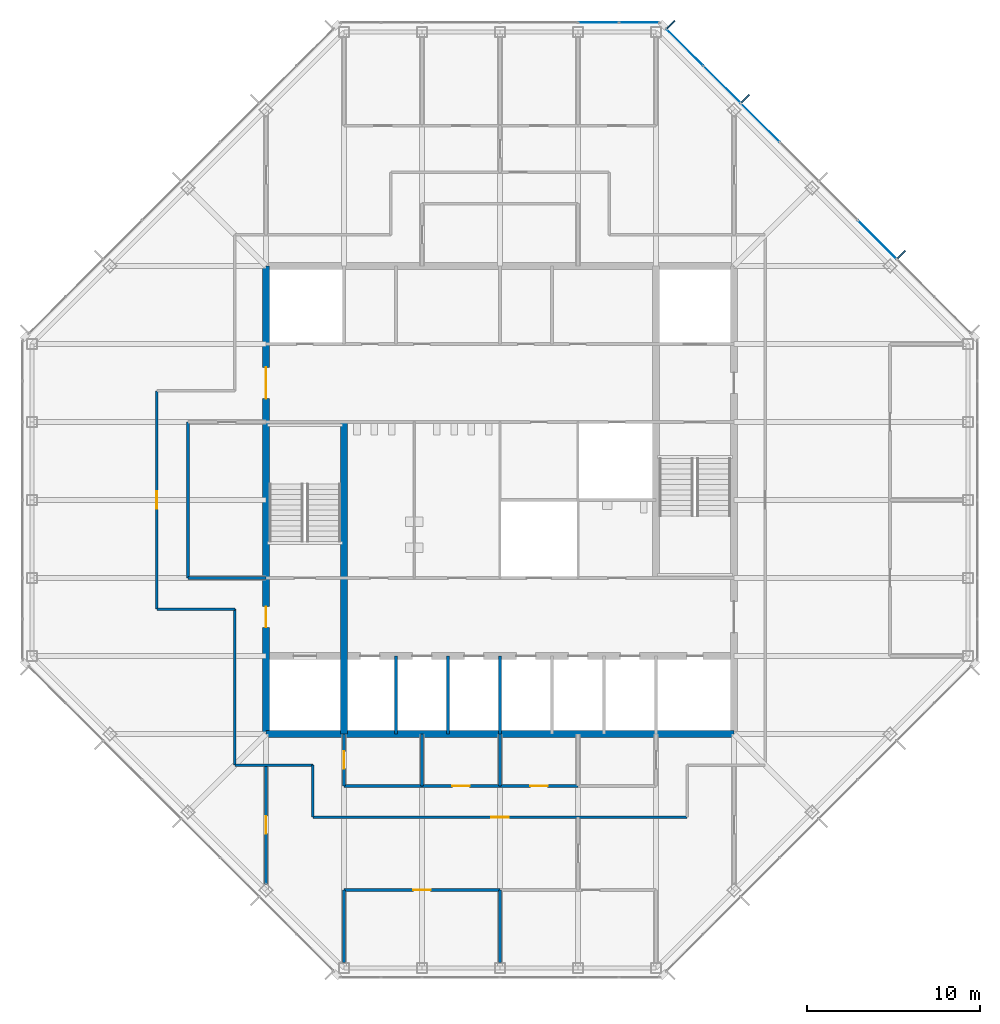
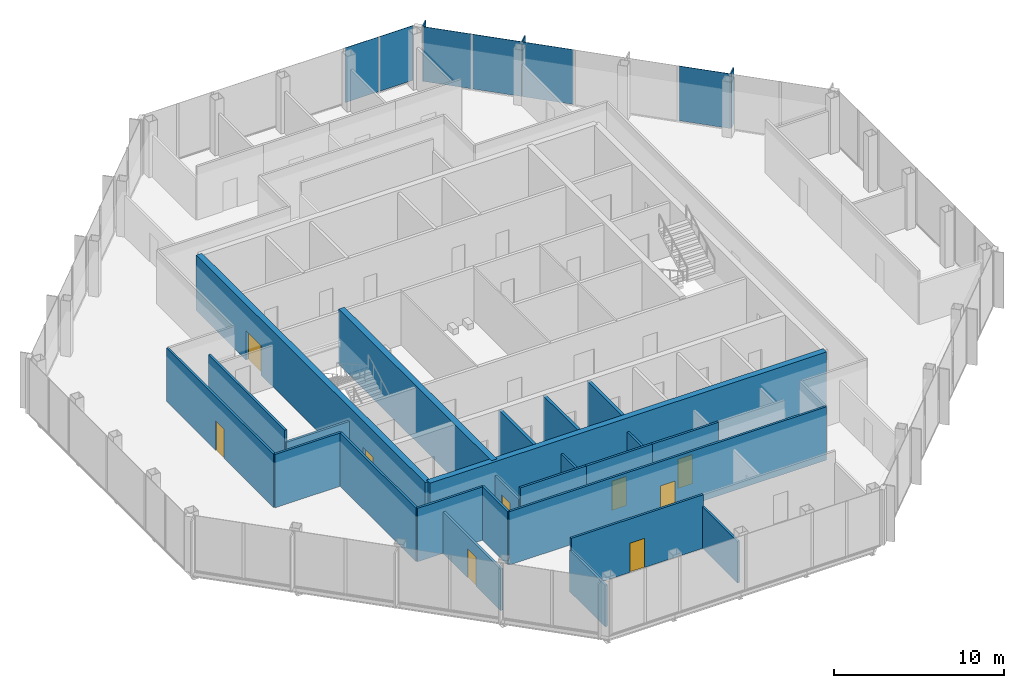
# One storey, part 9 of 14: 24 walls, 9 doors, 9 plates, 9 openings, 2 elements without a shape of their own.
"""IFC4 building model written with IfcOpenShell, lengths in metres."""

import ifcopenshell
import ifcopenshell.guid

model = None  # the IFC model being written
_history = None  # IfcOwnerHistory: only IFC2X3 demands one
_inside = {}  # id of a spatial element -> (the spatial element, [elements in it])
_under = {}  # id of a project, library or spatial element -> (it, [spatial elements below it])
_declared = {}  # id of a project -> (the project, [libraries it declares])
_typed = {}  # id of a type object -> (the type object, [elements of that type])
_made_of = {}  # id of a material, layer set ... -> (it, [elements and type objects made of it])


def new_model(schema):
    """Start an empty IFC model of exactly this schema.

    Asked for "IFC4X3", IfcOpenShell would pick the latest addendum, in which some entities
    have other attributes; the version numbers below select the first issue.
    IFC2X3 requires an IfcOwnerHistory on every rooted entity: one is made here for all.
    """
    global model, _history
    if schema == "IFC4X3":
        model = ifcopenshell.file(schema_version=(4, 3, 0, 0))
    else:
        model = ifcopenshell.file(schema=schema)
    _inside.clear()
    _under.clear()
    _declared.clear()
    _typed.clear()
    _made_of.clear()
    _history = None
    if model.schema == "IFC2X3":
        org = make("IfcOrganization", Name="unknown")
        user = make(
            "IfcPersonAndOrganization",
            ThePerson=make("IfcPerson", FamilyName="unknown"),
            TheOrganization=org,
        )
        app = make(
            "IfcApplication",
            ApplicationDeveloper=org,
            Version="unknown",
            ApplicationFullName="unknown",
            ApplicationIdentifier="unknown",
        )
        _history = make(
            "IfcOwnerHistory",
            OwningUser=user,
            OwningApplication=app,
            ChangeAction="ADDED",
            CreationDate=0,
        )
    return model


def make(cls, **values):
    """One entity of the class cls with the attributes given. An attribute that is None is left unset."""
    return model.create_entity(
        cls, **{name: value for name, value in values.items() if value is not None}
    )


def rooted(cls, **values):
    """An entity with a GlobalId (a new one), such as an element, a storey or a relation."""
    return make(cls, GlobalId=ifcopenshell.guid.new(), OwnerHistory=_history, **values)


def si_unit(unit_type, name, prefix=None):
    """IfcSIUnit, for example si_unit("LENGTHUNIT", "METRE", prefix="MILLI")."""
    return make("IfcSIUnit", UnitType=unit_type, Prefix=prefix, Name=name)


def assignment(units):
    """IfcUnitAssignment: the units of a project."""
    return None if units is None else make("IfcUnitAssignment", Units=units)


def point(xyz):
    """IfcCartesianPoint."""
    return None if xyz is None else make("IfcCartesianPoint", Coordinates=xyz)


def direction(xyz):
    """IfcDirection."""
    return None if xyz is None else make("IfcDirection", DirectionRatios=xyz)


def frame(location, z_axis=None, x_axis=None):
    """IfcAxis2Placement3D, a coordinate frame: its origin and axes. An axis left out is left unset."""
    return make(
        "IfcAxis2Placement3D",
        Location=point(location),
        Axis=direction(z_axis),
        RefDirection=direction(x_axis),
    )


def frame_2d(location, x_axis=None):
    """IfcAxis2Placement2D, a coordinate frame in the plane: its origin and x axis."""
    return make(
        "IfcAxis2Placement2D", Location=point(location), RefDirection=direction(x_axis)
    )


def origin():
    """The frame at (0, 0, 0) with its axes left unset."""
    return frame((0.0, 0.0, 0.0))


def origin_2d():
    """The frame at (0, 0) in the plane with its x axis left unset."""
    return frame_2d((0.0, 0.0))


def place(relative_to, where):
    """IfcLocalPlacement: puts the frame where relative to a parent placement (None: the world)."""
    return make(
        "IfcLocalPlacement", PlacementRelTo=relative_to, RelativePlacement=where
    )


def context(
    kind, dimensions, precision=None, world=None, true_north=None, identifier=None
):
    """IfcGeometricRepresentationContext, for example the 3D "Model" context."""
    return make(
        "IfcGeometricRepresentationContext",
        ContextIdentifier=identifier,
        ContextType=kind,
        CoordinateSpaceDimension=dimensions,
        Precision=precision,
        WorldCoordinateSystem=world,
        TrueNorth=true_north,
    )


def subcontext(parent, identifier, kind, view, scale=None):
    """IfcGeometricRepresentationSubContext, for example "Body" below "Model"."""
    return make(
        "IfcGeometricRepresentationSubContext",
        ContextIdentifier=identifier,
        ContextType=kind,
        ParentContext=parent,
        TargetScale=scale,
        TargetView=view,
    )


def project(units=None, contexts=None):
    """IfcProject with its units and contexts."""
    return rooted(
        "IfcProject",
        Name="project",
        RepresentationContexts=contexts,
        UnitsInContext=assignment(units),
    )


def spatial(cls, under=None, at=None, **own):
    """A site, building, storey or space (cls), placed at a placement, below another one or the project."""
    s = rooted(cls, ObjectPlacement=at, **own)
    if under is not None:
        _under.setdefault(under.id(), (under, []))[1].append(s)
    return s


def profile(cls, at=None, kind="AREA", **sizes):
    """A parametric profile (cls). Its sizes go by their IFC names, for example OverallWidth=200.0."""
    return make(cls, ProfileType=kind, Position=at, **sizes)


def rectangle(**sizes):
    """IfcRectangleProfileDef."""
    return profile("IfcRectangleProfileDef", **sizes)


def extrude(swept, where, along, depth):
    """IfcExtrudedAreaSolid: the profile swept, set in the frame where, extruded along a direction by depth."""
    return make(
        "IfcExtrudedAreaSolid",
        SweptArea=swept,
        Position=where,
        ExtrudedDirection=direction(along),
        Depth=depth,
    )


def shape(context_of_items, identifier, shape_type, items):
    """IfcShapeRepresentation: the items that make up one representation, for example the "Body"."""
    return make(
        "IfcShapeRepresentation",
        ContextOfItems=context_of_items,
        RepresentationIdentifier=identifier,
        RepresentationType=shape_type,
        Items=items,
    )


def material(Name=None, Category=None):
    """IfcMaterial."""
    return make("IfcMaterial", Name=Name, Category=Category)


def layer(
    of_material, thickness, ventilated=None, Name=None, Category=None, Priority=None
):
    """IfcMaterialLayer: one layer of a wall or slab, of a material (None: an air gap)."""
    return make(
        "IfcMaterialLayer",
        Material=of_material,
        LayerThickness=thickness,
        IsVentilated=ventilated,
        Name=Name,
        Category=Category,
        Priority=Priority,
    )


def layer_set(layers, Name=None):
    """IfcMaterialLayerSet."""
    return make("IfcMaterialLayerSet", MaterialLayers=layers, LayerSetName=Name)


def made_of(thing, what):
    """Note that an element or type object is made of a material, layer set ...; save() writes the relation."""
    if what is not None:
        _made_of.setdefault(what.id(), (what, []))[1].append(thing)
    return thing


def type_object(cls, material=None, **own):
    """A type object (cls), such as IfcWallType, which elements share."""
    return made_of(rooted(cls, **own), material)


def element(
    cls,
    number,
    at=None,
    inside=None,
    cuts=None,
    type_object=None,
    material=None,
    context=None,
    identifier="Body",
    shape_type=None,
    held_by="IfcProductDefinitionShape",
    body=None,
    shapes=None,
    **own,
):
    """One element of the class cls, such as IfcWall. Its Tag is "e" and its number.

    at: its placement. inside: the storey or other place that contains it. cuts: it is an
    opening in that element (IfcRelVoidsElement). A single representation is given by context,
    identifier, shape_type and body (its items); several are given by shapes. held_by: the class
    of the entity that holds the representations. save() writes the other relations.
    """
    e = rooted(cls, Tag="e%d" % number, ObjectPlacement=at, **own)
    if body is not None:
        shapes = [shape(context, identifier, shape_type, body)]
    if shapes is not None:
        e.Representation = make(held_by, Representations=shapes)
    if inside is not None:
        _inside.setdefault(inside.id(), (inside, []))[1].append(e)
    if cuts is not None:
        rooted(
            "IfcRelVoidsElement", RelatingBuildingElement=cuts, RelatedOpeningElement=e
        )
    if type_object is not None:
        _typed.setdefault(type_object.id(), (type_object, []))[1].append(e)
    return made_of(e, material)


def fill(opening, filler):
    """IfcRelFillsElement: the door or window that sits in an opening."""
    return rooted(
        "IfcRelFillsElement",
        RelatingOpeningElement=opening,
        RelatedBuildingElement=filler,
    )


def aggregate(whole, parts):
    """IfcRelAggregates: a whole, such as a stair, and the parts it consists of."""
    return rooted("IfcRelAggregates", RelatingObject=whole, RelatedObjects=parts)


def save(model, path):
    """Write the relations noted so far, then the file.

    IfcRelAggregates (storeys below a building ...), IfcRelContainedInSpatialStructure (elements
    in a storey), IfcRelDefinesByType, IfcRelAssociatesMaterial and IfcRelDeclares: one each for
    every whole, place, type object, material and project.
    """
    for whole, parts in _under.values():
        aggregate(whole, parts)
    for where, things in _inside.values():
        rooted(
            "IfcRelContainedInSpatialStructure",
            RelatedElements=things,
            RelatingStructure=where,
        )
    for kind, things in _typed.values():
        rooted("IfcRelDefinesByType", RelatedObjects=things, RelatingType=kind)
    for what, things in _made_of.values():
        rooted("IfcRelAssociatesMaterial", RelatedObjects=things, RelatingMaterial=what)
    for by, libraries in _declared.values():
        rooted("IfcRelDeclares", RelatingContext=by, RelatedDefinitions=libraries)
    model.write(path)


model = new_model("IFC4")

# Units and contexts
model_context = context("Model", 3, precision=1e-05, world=origin(), true_north=direction((0.0, 1.0)))
body_context = subcontext(model_context, "Body", "Model", "MODEL_VIEW")
ifc_project = project(units=[si_unit("LENGTHUNIT", "METRE"), si_unit("AREAUNIT", "SQUARE_METRE"), si_unit("VOLUMEUNIT", "CUBIC_METRE"), si_unit("PLANEANGLEUNIT", "RADIAN"), si_unit("MASSUNIT", "GRAM", prefix="KILO")], contexts=[model_context])

# Site, building, storey
site_placement = place(None, origin())
site = spatial("IfcSite", under=ifc_project, at=site_placement, CompositionType="ELEMENT")
building_placement = place(site_placement, origin())
building = spatial("IfcBuilding", under=site, at=building_placement, Name="Corais Broadcast Tower", CompositionType="ELEMENT")
storey_placement = place(building_placement, frame((0.0, 0.0, 282.60009765625)))
storey = spatial("IfcBuildingStorey", under=building, at=storey_placement, Name="L66", CompositionType="ELEMENT", Elevation=282.60009765625)

# Curtain wall, plate
ifc_material_1 = material(Name="Aluminium and glass", Category="aluminium")
curtain_wall_type = type_object("IfcCurtainWallType", Name="Unitised fritted curtain wall CW3", PredefinedType="NOTDEFINED", material=ifc_material_1)
curtain_wall_1_placement = place(storey_placement, origin())
curtain_wall_1 = element("IfcCurtainWall", 1, at=curtain_wall_1_placement, inside=storey, type_object=curtain_wall_type, Name="CW3 curtain wall L66 4", PredefinedType="NOTDEFINED")
ifc_material_2 = material(Name="Ceramic-fritted laminated glass", Category="glass")
ifc_layer_1 = layer(ifc_material_2, 0.02587890625)
ifc_layer_set_1 = layer_set([ifc_layer_1], Name="Ceramic-fritted laminated glass")
plate_type_1 = type_object("IfcPlateType", Name="Fritted glass panel CW3", PredefinedType="CURTAIN_PANEL", material=ifc_layer_set_1)
plate_1_placement = place(storey_placement, frame((32.681884765625, 54.550048828125, 0.06494140625), z_axis=(0.0, 0.0, 1.0), x_axis=(1.0, 0.0, 0.0)))
plate_1 = element("IfcPlate", 2, at=plate_1_placement, type_object=plate_type_1, Name="CW3 panel 5", PredefinedType="CURTAIN_PANEL", context=body_context, shape_type="SweptSolid", body=[
    extrude(rectangle(XDim=2.298828125, YDim=0.02587890625, at=origin_2d()), origin(), (0.0, 0.0, 1.0), 3.93505859375),
])

# Curtain wall, plates
curtain_wall_2_placement = place(storey_placement, origin())
curtain_wall_2 = element("IfcCurtainWall", 3, at=curtain_wall_2_placement, inside=storey, type_object=curtain_wall_type, Name="CW3 curtain wall L66 5", PredefinedType="NOTDEFINED")
plate_2_placement = place(storey_placement, frame((37.669677734375, 53.108154296875, 0.06494140625), z_axis=(0.0, 0.0, 1.0), x_axis=(0.707106781187, -0.707106781187, 0.0)))
plate_2 = element("IfcPlate", 4, at=plate_2_placement, type_object=plate_type_1, Name="CW3 panel 1", PredefinedType="CURTAIN_PANEL", context=body_context, shape_type="SweptSolid", body=[
    extrude(rectangle(XDim=2.9482421875, YDim=0.02587890625, at=origin_2d()), origin(), (0.0, 0.0, 1.0), 3.93505859375),
])
plate_3_placement = place(storey_placement, frame((42.013916015625, 48.763916015625, 0.06494140625), z_axis=(0.0, 0.0, 1.0), x_axis=(0.707106781187, -0.707106781187, 0.0)))
plate_3 = element("IfcPlate", 5, at=plate_3_placement, type_object=plate_type_1, Name="CW3 panel 3", PredefinedType="CURTAIN_PANEL", context=body_context, shape_type="SweptSolid", body=[
    extrude(rectangle(XDim=3.116943359375, YDim=0.02587890625, at=origin_2d()), origin(), (0.0, 0.0, 1.0), 3.93505859375),
])

# Plate
ifc_material_3 = material(Name="Clear laminated glass", Category="glass")
ifc_layer_2 = layer(ifc_material_3, 0.030029296875)
ifc_layer_set_2 = layer_set([ifc_layer_2], Name="Clear laminated glass")
plate_type_2 = type_object("IfcPlateType", Name="Operable glass panel CW3", PredefinedType="CURTAIN_PANEL", material=ifc_layer_set_2)
plate_4_placement = place(storey_placement, frame((35.029541015625, 54.550048828125, 0.06494140625), z_axis=(0.0, 0.0, 1.0), x_axis=(1.0, 0.0, 0.0)))
plate_4 = element("IfcPlate", 6, at=plate_4_placement, type_object=plate_type_2, Name="CW3 operable panel 6", PredefinedType="CURTAIN_PANEL", context=body_context, shape_type="SweptSolid", body=[
    extrude(rectangle(XDim=2.266357421875, YDim=0.030029296875, at=origin_2d()), origin(), (0.0, 0.0, 1.0), 3.93505859375),
])

aggregate(curtain_wall_1, [plate_1, plate_4])

plate_5_placement = place(storey_placement, frame((39.81201171875, 50.9658203125, 0.06494140625), z_axis=(0.0, 0.0, 1.0), x_axis=(0.707106781187, -0.707106781187, 0.0)))
plate_5 = element("IfcPlate", 7, at=plate_5_placement, type_object=plate_type_2, Name="CW3 operable panel 2", PredefinedType="CURTAIN_PANEL", context=body_context, shape_type="SweptSolid", body=[
    extrude(rectangle(XDim=2.98095703125, YDim=0.030029296875, at=origin_2d()), origin(), (0.0, 0.0, 1.0), 3.93505859375),
])

plate_6_placement = place(storey_placement, frame((48.763916015625, 42.013916015625, 0.06494140625), z_axis=(0.0, 0.0, 1.0), x_axis=(0.707106781187, -0.707106781187, 0.0)))
plate_6 = element("IfcPlate", 8, at=plate_6_placement, type_object=plate_type_2, Name="CW3 operable panel 6", PredefinedType="CURTAIN_PANEL", context=body_context, shape_type="SweptSolid", body=[
    extrude(rectangle(XDim=3.116943359375, YDim=0.030029296875, at=origin_2d()), origin(), (0.0, 0.0, 1.0), 3.93505859375),
])

aggregate(curtain_wall_2, [plate_2, plate_5, plate_3, plate_6])

# Plates
ifc_material_4 = material(Name="Granite stone cladding", Category="masonry")
ifc_layer_3 = layer(ifc_material_4, 0.080078125)
ifc_layer_set_3 = layer_set([ifc_layer_3], Name="Granite stone cladding")
plate_type_3 = type_object("IfcPlateType", Name="Stone screen fin 80x600", PredefinedType="USERDEFINED", material=ifc_layer_set_3)
for number, where, z_axis, x_axis, name in (
    (9, (36.870849609375, 54.43994140625, 0.0), (0.0, 0.0, 1.0), (0.707106781187, -0.707106781187, 0.0), "SF1 stone screen fin L66"),
    (10, (41.155517578125, 50.155517578125, 0.0), (0.0, 0.0, 1.0), (0.707106781187, -0.707106781187, 0.0), "SF1 stone screen fin L66"),
    (11, (50.155517578125, 41.155517578125, 0.0), (0.0, 0.0, 1.0), (0.707106781187, -0.707106781187, 0.0), "SF1 stone screen fin L66"),
):
    element("IfcPlate", number, at=place(storey_placement, frame(where, z_axis=z_axis, x_axis=x_axis)), inside=storey, type_object=plate_type_3, Name=name, ObjectType="STONE SCREEN FIN", PredefinedType="USERDEFINED", context=body_context, shape_type="SweptSolid", body=[
        extrude(rectangle(XDim=0.080078125, YDim=0.60009765625, at=origin_2d()), origin(), (0.0, 0.0, 1.0), 4.0),
    ])

# Wall
ifc_material_5 = material(Name="Concrete C50/60", Category="concrete")
ifc_layer_4 = layer(ifc_material_5, 0.39990234375)
ifc_layer_set_4 = layer_set([ifc_layer_4], Name="Concrete C50/60")
wall_type_1 = type_object("IfcWallType", Name="Core wall 400", PredefinedType="SHEAR", material=ifc_layer_set_4)
wall_1_placement = place(storey_placement, frame((13.5, 13.5, 0.0), z_axis=(0.0, 0.0, 1.0), x_axis=(1.0, 0.0, 0.0)))
element("IfcWall", 12, at=wall_1_placement, inside=storey, type_object=wall_type_1, Name="CR400 core wall S L66", PredefinedType="SHEAR", context=body_context, shape_type="SweptSolid", body=[
    extrude(rectangle(XDim=27.0, YDim=0.39990234375, at=frame_2d((13.5, 0.0))), origin(), (0.0, 0.0, 1.0), 4.0),
])

# Wall, openings, doors
wall_2_placement = place(storey_placement, frame((13.5, 40.5, 0.0), z_axis=(0.0, 0.0, 1.0), x_axis=(0.0, -1.0, 0.0)))
wall_2 = element("IfcWall", 13, at=wall_2_placement, inside=storey, type_object=wall_type_1, Name="CR400 core wall W L66", PredefinedType="SHEAR", context=body_context, shape_type="SweptSolid", body=[
    extrude(rectangle(XDim=27.0, YDim=0.39990234375, at=frame_2d((13.5, 0.0))), origin(), (0.0, 0.0, 1.0), 4.0),
])
opening_1_placement = place(wall_2_placement, frame((19.64990234375, 0.0, 0.0)))
opening_1 = element("IfcOpeningElement", 14, at=opening_1_placement, cuts=wall_2, Name="Opening FD1", PredefinedType="OPENING", context=body_context, shape_type="SweptSolid", body=[
    extrude(rectangle(XDim=1.199951171875, YDim=2.10009765625, at=frame_2d((0.60009765625, 1.050048828125))), frame((0.0, 0.2099609375, 0.0), z_axis=(0.0, -1.0, 0.0), x_axis=(1.0, 0.0, 0.0)), (0.0, 0.0, 1.0), 0.419921875),
])
opening_2_placement = place(wall_2_placement, frame((5.85009765625, 0.0, 0.0)))
opening_2 = element("IfcOpeningElement", 15, at=opening_2_placement, cuts=wall_2, Name="Opening FD2", PredefinedType="OPENING", context=body_context, shape_type="SweptSolid", body=[
    extrude(rectangle(XDim=1.800048828125, YDim=2.10009765625, at=frame_2d((0.89990234375, 1.050048828125))), frame((0.0, 0.2099609375, 0.0), z_axis=(0.0, -1.0, 0.0), x_axis=(1.0, 0.0, 0.0)), (0.0, 0.0, 1.0), 0.419921875),
])
ifc_material_6 = material(Name="Steel fire door", Category="steel")
door_type_1 = type_object("IfcDoorType", Name="Fire door 1200x2100", OperationType="SINGLE_SWING_LEFT", PredefinedType="DOOR", material=ifc_material_6)
door_1_placement = place(opening_1_placement, origin())
door_1 = element("IfcDoor", 16, at=door_1_placement, inside=storey, type_object=door_type_1, Name="FD1 fire lobby A door L66", OperationType="SINGLE_SWING_RIGHT", OverallHeight=2.10009765625, OverallWidth=1.199951171875, PredefinedType="DOOR", context=body_context, shape_type="SweptSolid", body=[
    extrude(rectangle(XDim=1.199951171875, YDim=2.10009765625, at=frame_2d((0.60009765625, 1.050048828125))), frame((0.0, 0.02490234375, 0.0), z_axis=(0.0, -1.0, 0.0), x_axis=(1.0, 0.0, 0.0)), (0.0, 0.0, 1.0), 0.050048828125),
])
fill(opening_1, door_1)
ifc_material_7 = material(Name="Steel fire door", Category="steel")
door_type_2 = type_object("IfcDoorType", Name="Fire door pair 1800x2100", OperationType="DOUBLE_DOOR_SINGLE_SWING", PredefinedType="DOOR", material=ifc_material_7)
door_2_placement = place(opening_2_placement, origin())
door_2 = element("IfcDoor", 17, at=door_2_placement, inside=storey, type_object=door_type_2, Name="FD2 lift lobby door L66", OperationType="SINGLE_SWING_LEFT", OverallHeight=2.10009765625, OverallWidth=1.800048828125, PredefinedType="DOOR", context=body_context, shape_type="SweptSolid", body=[
    extrude(rectangle(XDim=1.800048828125, YDim=2.10009765625, at=frame_2d((0.89990234375, 1.050048828125))), frame((0.0, 0.02490234375, 0.0), z_axis=(0.0, -1.0, 0.0), x_axis=(1.0, 0.0, 0.0)), (0.0, 0.0, 1.0), 0.050048828125),
])
fill(opening_2, door_2)

# Wall
wall_3_placement = place(storey_placement, frame((18.0, 13.5, 0.0), z_axis=(0.0, 0.0, 1.0), x_axis=(0.0, 1.0, 0.0)))
element("IfcWall", 18, at=wall_3_placement, inside=storey, type_object=wall_type_1, Name="CR400 core wall X18A L66", PredefinedType="SHEAR", context=body_context, shape_type="SweptSolid", body=[
    extrude(rectangle(XDim=18.0, YDim=0.39990234375, at=frame_2d((9.0, 0.0))), origin(), (0.0, 0.0, 1.0), 4.0),
])

# Wall, opening, door
ifc_material_8 = material(Name="Gypsum board on steel studs", Category="steel")
ifc_layer_5 = layer(ifc_material_8, 0.14990234375)
ifc_layer_set_5 = layer_set([ifc_layer_5], Name="Gypsum board on steel studs")
wall_type_2 = type_object("IfcWallType", Name="Partition 150", PredefinedType="PARTITIONING", material=ifc_layer_set_5)
wall_4_placement = place(storey_placement, frame((16.199951171875, 8.699951171875, 0.0), z_axis=(0.0, 0.0, 1.0), x_axis=(1.0, 0.0, 0.0)))
wall_4 = element("IfcWall", 19, at=wall_4_placement, inside=storey, type_object=wall_type_2, Name="IW3 corridor wall L66", PredefinedType="PARTITIONING", context=body_context, shape_type="SweptSolid", body=[
    extrude(rectangle(XDim=21.60009765625, YDim=0.14990234375, at=frame_2d((10.800048828125, 0.0))), origin(), (0.0, 0.0, 1.0), 3.83984375),
])
opening_3_placement = place(wall_4_placement, frame((10.300048828125, 0.0, 0.0)))
opening_3 = element("IfcOpeningElement", 20, at=opening_3_placement, cuts=wall_4, Name="Opening D1", PredefinedType="OPENING", context=body_context, shape_type="SweptSolid", body=[
    extrude(rectangle(XDim=1.0, YDim=2.10009765625, at=frame_2d((0.5, 1.050048828125))), frame((0.0, 0.0849609375, 0.0), z_axis=(0.0, -1.0, 0.0), x_axis=(1.0, 0.0, 0.0)), (0.0, 0.0, 1.0), 0.169921875),
])
ifc_material_9 = material(Name="Timber door", Category="wood")
door_type_3 = type_object("IfcDoorType", Name="Single door 1000x2100", OperationType="SINGLE_SWING_LEFT", PredefinedType="DOOR", material=ifc_material_9)
door_3_placement = place(opening_3_placement, origin())
door_3 = element("IfcDoor", 21, at=door_3_placement, inside=storey, type_object=door_type_3, Name="D1 workplace door L66", OperationType="SINGLE_SWING_LEFT", OverallHeight=2.10009765625, OverallWidth=1.0, PredefinedType="DOOR", context=body_context, shape_type="SweptSolid", body=[
    extrude(rectangle(XDim=1.0, YDim=2.10009765625, at=frame_2d((0.5, 1.050048828125))), frame((0.0, 0.02490234375, 0.0), z_axis=(0.0, -1.0, 0.0), x_axis=(1.0, 0.0, 0.0)), (0.0, 0.0, 1.0), 0.050048828125),
])
fill(opening_3, door_3)

wall_5_placement = place(storey_placement, frame((7.199951171875, 33.300048828125, 0.0), z_axis=(0.0, 0.0, 1.0), x_axis=(0.0, -1.0, 0.0)))
wall_5 = element("IfcWall", 22, at=wall_5_placement, inside=storey, type_object=wall_type_2, Name="IW3 corridor wall L66", PredefinedType="PARTITIONING", context=body_context, shape_type="SweptSolid", body=[
    extrude(rectangle(XDim=12.60009765625, YDim=0.14990234375, at=frame_2d((6.300048828125, 0.0))), origin(), (0.0, 0.0, 1.0), 3.83984375),
])
opening_4_placement = place(wall_5_placement, frame((5.800048828125, 0.0, 0.0)))
opening_4 = element("IfcOpeningElement", 23, at=opening_4_placement, cuts=wall_5, Name="Opening D1", PredefinedType="OPENING", context=body_context, shape_type="SweptSolid", body=[
    extrude(rectangle(XDim=1.0, YDim=2.10009765625, at=frame_2d((0.5, 1.050048828125))), frame((0.0, 0.0849609375, 0.0), z_axis=(0.0, -1.0, 0.0), x_axis=(1.0, 0.0, 0.0)), (0.0, 0.0, 1.0), 0.169921875),
])
door_4_placement = place(opening_4_placement, origin())
door_4 = element("IfcDoor", 24, at=door_4_placement, inside=storey, type_object=door_type_3, Name="D1 workplace door L66", OperationType="SINGLE_SWING_LEFT", OverallHeight=2.10009765625, OverallWidth=1.0, PredefinedType="DOOR", context=body_context, shape_type="SweptSolid", body=[
    extrude(rectangle(XDim=1.0, YDim=2.10009765625, at=frame_2d((0.5, 1.050048828125))), frame((0.0, 0.02490234375, 0.0), z_axis=(0.0, -1.0, 0.0), x_axis=(1.0, 0.0, 0.0)), (0.0, 0.0, 1.0), 0.050048828125),
])
fill(opening_4, door_4)

# Walls
wall_6_placement = place(storey_placement, frame((11.699951171875, 20.699951171875, 0.0), z_axis=(0.0, 0.0, 1.0), x_axis=(0.0, -1.0, 0.0)))
element("IfcWall", 25, at=wall_6_placement, inside=storey, type_object=wall_type_2, Name="IW3 corridor wall L66", PredefinedType="PARTITIONING", context=body_context, shape_type="SweptSolid", body=[
    extrude(rectangle(XDim=9.0, YDim=0.14990234375, at=frame_2d((4.5, 0.0))), origin(), (0.0, 0.0, 1.0), 3.83984375),
])
for number, where, z_axis, x_axis, name in (
    (26, (7.199951171875, 20.699951171875, 0.0), (0.0, 0.0, 1.0), (1.0, 0.0, 0.0), "IW3 corridor wall L66"),
    (27, (11.699951171875, 11.699951171875, 0.0), (0.0, 0.0, 1.0), (1.0, 0.0, 0.0), "IW3 corridor wall L66"),
):
    element("IfcWall", number, at=place(storey_placement, frame(where, z_axis=z_axis, x_axis=x_axis)), inside=storey, type_object=wall_type_2, Name=name, PredefinedType="PARTITIONING", context=body_context, shape_type="SweptSolid", body=[
        extrude(rectangle(XDim=4.5, YDim=0.14990234375, at=frame_2d((2.25, 0.0))), origin(), (0.0, 0.0, 1.0), 3.83984375),
    ])
wall_7_placement = place(storey_placement, frame((16.199951171875, 11.699951171875, 0.0), z_axis=(0.0, 0.0, 1.0), x_axis=(0.0, -1.0, 0.0)))
element("IfcWall", 28, at=wall_7_placement, inside=storey, type_object=wall_type_2, Name="IW3 corridor wall L66", PredefinedType="PARTITIONING", context=body_context, shape_type="SweptSolid", body=[
    extrude(rectangle(XDim=3.0, YDim=0.14990234375, at=frame_2d((1.5, 0.0))), origin(), (0.0, 0.0, 1.0), 3.83984375),
])
wall_8_placement = place(storey_placement, frame((27.0, 0.31005859375, 0.0), z_axis=(0.0, 0.0, 1.0), x_axis=(0.0, 1.0, 0.0)))
element("IfcWall", 29, at=wall_8_placement, inside=storey, type_object=wall_type_2, Name="IW3 partition L66", PredefinedType="PARTITIONING", context=body_context, shape_type="SweptSolid", body=[
    extrude(rectangle(XDim=4.18994140625, YDim=0.14990234375, at=frame_2d((2.094970703125, 0.0))), origin(), (0.0, 0.0, 1.0), 2.989013671875),
])

# Wall, opening, door
wall_9_placement = place(storey_placement, frame((27.0, 4.5, 0.0), z_axis=(0.0, 0.0, 1.0), x_axis=(-1.0, 0.0, 0.0)))
wall_9 = element("IfcWall", 30, at=wall_9_placement, inside=storey, type_object=wall_type_2, Name="IW3 partition L66", PredefinedType="PARTITIONING", context=body_context, shape_type="SweptSolid", body=[
    extrude(rectangle(XDim=9.0, YDim=0.14990234375, at=frame_2d((4.5, 0.0))), origin(), (0.0, 0.0, 1.0), 3.83984375),
])
opening_5_placement = place(wall_9_placement, frame((4.0, 0.0, 0.0)))
opening_5 = element("IfcOpeningElement", 31, at=opening_5_placement, cuts=wall_9, Name="Opening D1", PredefinedType="OPENING", context=body_context, shape_type="SweptSolid", body=[
    extrude(rectangle(XDim=1.0, YDim=2.10009765625, at=frame_2d((0.5, 1.050048828125))), frame((0.0, 0.0849609375, 0.0), z_axis=(0.0, -1.0, 0.0), x_axis=(1.0, 0.0, 0.0)), (0.0, 0.0, 1.0), 0.169921875),
])
door_5_placement = place(opening_5_placement, origin())
door_5 = element("IfcDoor", 32, at=door_5_placement, inside=storey, type_object=door_type_3, Name="D1 Director office door", OperationType="SINGLE_SWING_LEFT", OverallHeight=2.10009765625, OverallWidth=1.0, PredefinedType="DOOR", context=body_context, shape_type="SweptSolid", body=[
    extrude(rectangle(XDim=1.0, YDim=2.10009765625, at=frame_2d((0.5, 1.050048828125))), frame((0.0, 0.02490234375, 0.0), z_axis=(0.0, -1.0, 0.0), x_axis=(1.0, 0.0, 0.0)), (0.0, 0.0, 1.0), 0.050048828125),
])
fill(opening_5, door_5)

# Walls
wall_10_placement = place(storey_placement, frame((18.0, 4.5, 0.0), z_axis=(0.0, 0.0, 1.0), x_axis=(0.0, -1.0, 0.0)))
element("IfcWall", 33, at=wall_10_placement, inside=storey, type_object=wall_type_2, Name="IW3 partition L66", PredefinedType="PARTITIONING", context=body_context, shape_type="SweptSolid", body=[
    extrude(rectangle(XDim=4.18994140625, YDim=0.14990234375, at=frame_2d((2.094970703125, 0.0))), origin(), (0.0, 0.0, 1.0), 2.989013671875),
])
wall_11_placement = place(storey_placement, frame((9.0, 22.5, 0.0), z_axis=(0.0, 0.0, 1.0), x_axis=(1.0, 0.0, 0.0)))
element("IfcWall", 34, at=wall_11_placement, inside=storey, type_object=wall_type_2, Name="IW3 partition L66", PredefinedType="PARTITIONING", context=body_context, shape_type="SweptSolid", body=[
    extrude(rectangle(XDim=4.5, YDim=0.14990234375, at=frame_2d((2.25, 0.0))), origin(), (0.0, 0.0, 1.0), 2.989013671875),
])
wall_12_placement = place(storey_placement, frame((9.0, 31.5, 0.0), z_axis=(0.0, 0.0, 1.0), x_axis=(0.0, -1.0, 0.0)))
element("IfcWall", 35, at=wall_12_placement, inside=storey, type_object=wall_type_2, Name="IW3 partition L66", PredefinedType="PARTITIONING", context=body_context, shape_type="SweptSolid", body=[
    extrude(rectangle(XDim=9.0, YDim=0.14990234375, at=frame_2d((4.5, 0.0))), origin(), (0.0, 0.0, 1.0), 3.83984375),
])
wall_13_placement = place(storey_placement, frame((18.0, 10.5, 0.0), z_axis=(0.0, 0.0, 1.0), x_axis=(1.0, 0.0, 0.0)))
element("IfcWall", 36, at=wall_13_placement, inside=storey, type_object=wall_type_2, Name="IW3 partition L66", PredefinedType="PARTITIONING", context=body_context, shape_type="SweptSolid", body=[
    extrude(rectangle(XDim=4.5, YDim=0.14990234375, at=frame_2d((2.25, 0.0))), origin(), (0.0, 0.0, 1.0), 3.83984375),
])
wall_14_placement = place(storey_placement, frame((22.5, 10.5, 0.0), z_axis=(0.0, 0.0, 1.0), x_axis=(0.0, 1.0, 0.0)))
element("IfcWall", 37, at=wall_14_placement, inside=storey, type_object=wall_type_2, Name="IW3 partition L66", PredefinedType="PARTITIONING", context=body_context, shape_type="SweptSolid", body=[
    extrude(rectangle(XDim=3.0, YDim=0.14990234375, at=frame_2d((1.5, 0.0))), origin(), (0.0, 0.0, 1.0), 2.989013671875),
])

# Wall, opening, door
wall_15_placement = place(storey_placement, frame((18.0, 13.5, 0.0), z_axis=(0.0, 0.0, 1.0), x_axis=(0.0, -1.0, 0.0)))
wall_15 = element("IfcWall", 38, at=wall_15_placement, inside=storey, type_object=wall_type_2, Name="IW3 partition L66", PredefinedType="PARTITIONING", context=body_context, shape_type="SweptSolid", body=[
    extrude(rectangle(XDim=3.0, YDim=0.14990234375, at=frame_2d((1.5, 0.0))), origin(), (0.0, 0.0, 1.0), 2.989013671875),
])
opening_6_placement = place(wall_15_placement, frame((1.0, 0.0, 0.0)))
opening_6 = element("IfcOpeningElement", 39, at=opening_6_placement, cuts=wall_15, Name="Opening D1", PredefinedType="OPENING", context=body_context, shape_type="SweptSolid", body=[
    extrude(rectangle(XDim=1.0, YDim=2.10009765625, at=frame_2d((0.5, 1.050048828125))), frame((0.0, 0.0849609375, 0.0), z_axis=(0.0, -1.0, 0.0), x_axis=(1.0, 0.0, 0.0)), (0.0, 0.0, 1.0), 0.169921875),
])
door_6_placement = place(opening_6_placement, origin())
door_6 = element("IfcDoor", 40, at=door_6_placement, inside=storey, type_object=door_type_3, Name="D1 Quiet room door", OperationType="SINGLE_SWING_LEFT", OverallHeight=2.10009765625, OverallWidth=1.0, PredefinedType="DOOR", context=body_context, shape_type="SweptSolid", body=[
    extrude(rectangle(XDim=1.0, YDim=2.10009765625, at=frame_2d((0.5, 1.050048828125))), frame((0.0, 0.02490234375, 0.0), z_axis=(0.0, -1.0, 0.0), x_axis=(1.0, 0.0, 0.0)), (0.0, 0.0, 1.0), 0.050048828125),
])
fill(opening_6, door_6)

wall_16_placement = place(storey_placement, frame((22.5, 10.5, 0.0), z_axis=(0.0, 0.0, 1.0), x_axis=(1.0, 0.0, 0.0)))
wall_16 = element("IfcWall", 41, at=wall_16_placement, inside=storey, type_object=wall_type_2, Name="IW3 partition L66", PredefinedType="PARTITIONING", context=body_context, shape_type="SweptSolid", body=[
    extrude(rectangle(XDim=4.5, YDim=0.14990234375, at=frame_2d((2.25, 0.0))), origin(), (0.0, 0.0, 1.0), 3.83984375),
])
opening_7_placement = place(wall_16_placement, frame((1.75, 0.0, 0.0)))
opening_7 = element("IfcOpeningElement", 42, at=opening_7_placement, cuts=wall_16, Name="Opening D1", PredefinedType="OPENING", context=body_context, shape_type="SweptSolid", body=[
    extrude(rectangle(XDim=1.0, YDim=2.10009765625, at=frame_2d((0.5, 1.050048828125))), frame((0.0, 0.0849609375, 0.0), z_axis=(0.0, -1.0, 0.0), x_axis=(1.0, 0.0, 0.0)), (0.0, 0.0, 1.0), 0.169921875),
])
door_7_placement = place(opening_7_placement, origin())
door_7 = element("IfcDoor", 43, at=door_7_placement, inside=storey, type_object=door_type_3, Name="D1 Quiet room door", OperationType="SINGLE_SWING_LEFT", OverallHeight=2.10009765625, OverallWidth=1.0, PredefinedType="DOOR", context=body_context, shape_type="SweptSolid", body=[
    extrude(rectangle(XDim=1.0, YDim=2.10009765625, at=frame_2d((0.5, 1.050048828125))), frame((0.0, 0.02490234375, 0.0), z_axis=(0.0, -1.0, 0.0), x_axis=(1.0, 0.0, 0.0)), (0.0, 0.0, 1.0), 0.050048828125),
])
fill(opening_7, door_7)

# Wall
wall_17_placement = place(storey_placement, frame((27.0, 10.5, 0.0), z_axis=(0.0, 0.0, 1.0), x_axis=(0.0, 1.0, 0.0)))
element("IfcWall", 44, at=wall_17_placement, inside=storey, type_object=wall_type_2, Name="IW3 partition L66", PredefinedType="PARTITIONING", context=body_context, shape_type="SweptSolid", body=[
    extrude(rectangle(XDim=3.0, YDim=0.14990234375, at=frame_2d((1.5, 0.0))), origin(), (0.0, 0.0, 1.0), 2.989013671875),
])

# Wall, opening, door
wall_18_placement = place(storey_placement, frame((27.0, 10.5, 0.0), z_axis=(0.0, 0.0, 1.0), x_axis=(1.0, 0.0, 0.0)))
wall_18 = element("IfcWall", 45, at=wall_18_placement, inside=storey, type_object=wall_type_2, Name="IW3 partition L66", PredefinedType="PARTITIONING", context=body_context, shape_type="SweptSolid", body=[
    extrude(rectangle(XDim=4.5, YDim=0.14990234375, at=frame_2d((2.25, 0.0))), origin(), (0.0, 0.0, 1.0), 3.83984375),
])
opening_8_placement = place(wall_18_placement, frame((1.75, 0.0, 0.0)))
opening_8 = element("IfcOpeningElement", 46, at=opening_8_placement, cuts=wall_18, Name="Opening D1", PredefinedType="OPENING", context=body_context, shape_type="SweptSolid", body=[
    extrude(rectangle(XDim=1.0, YDim=2.10009765625, at=frame_2d((0.5, 1.050048828125))), frame((0.0, 0.0849609375, 0.0), z_axis=(0.0, -1.0, 0.0), x_axis=(1.0, 0.0, 0.0)), (0.0, 0.0, 1.0), 0.169921875),
])
door_8_placement = place(opening_8_placement, origin())
door_8 = element("IfcDoor", 47, at=door_8_placement, inside=storey, type_object=door_type_3, Name="D1 Quiet room door", OperationType="SINGLE_SWING_LEFT", OverallHeight=2.10009765625, OverallWidth=1.0, PredefinedType="DOOR", context=body_context, shape_type="SweptSolid", body=[
    extrude(rectangle(XDim=1.0, YDim=2.10009765625, at=frame_2d((0.5, 1.050048828125))), frame((0.0, 0.02490234375, 0.0), z_axis=(0.0, -1.0, 0.0), x_axis=(1.0, 0.0, 0.0)), (0.0, 0.0, 1.0), 0.050048828125),
])
fill(opening_8, door_8)

wall_19_placement = place(storey_placement, frame((13.5, 4.820068359375, 0.0), z_axis=(0.0, 0.0, 1.0), x_axis=(0.0, 1.0, 0.0)))
wall_19 = element("IfcWall", 48, at=wall_19_placement, inside=storey, type_object=wall_type_2, Name="IW3 partition L66", PredefinedType="PARTITIONING", context=body_context, shape_type="SweptSolid", body=[
    extrude(rectangle(XDim=6.8798828125, YDim=0.14990234375, at=frame_2d((3.43994140625, 0.0))), origin(), (0.0, 0.0, 1.0), 2.989013671875),
])
opening_9_placement = place(wall_19_placement, frame((2.93994140625, 0.0, 0.0)))
opening_9 = element("IfcOpeningElement", 49, at=opening_9_placement, cuts=wall_19, Name="Opening D1", PredefinedType="OPENING", context=body_context, shape_type="SweptSolid", body=[
    extrude(rectangle(XDim=1.0, YDim=2.10009765625, at=frame_2d((0.5, 1.050048828125))), frame((0.0, 0.0849609375, 0.0), z_axis=(0.0, -1.0, 0.0), x_axis=(1.0, 0.0, 0.0)), (0.0, 0.0, 1.0), 0.169921875),
])
door_9_placement = place(opening_9_placement, origin())
door_9 = element("IfcDoor", 50, at=door_9_placement, inside=storey, type_object=door_type_3, Name="D1 team room door L66", OperationType="SINGLE_SWING_LEFT", OverallHeight=2.10009765625, OverallWidth=1.0, PredefinedType="DOOR", context=body_context, shape_type="SweptSolid", body=[
    extrude(rectangle(XDim=1.0, YDim=2.10009765625, at=frame_2d((0.5, 1.050048828125))), frame((0.0, 0.02490234375, 0.0), z_axis=(0.0, -1.0, 0.0), x_axis=(1.0, 0.0, 0.0)), (0.0, 0.0, 1.0), 0.050048828125),
])
fill(opening_9, door_9)

# Walls
ifc_material_10 = material(Name="Concrete blockwork class A, grouted, two-hour", Category="masonry")
ifc_layer_6 = layer(ifc_material_10, 0.199951171875)
ifc_layer_set_6 = layer_set([ifc_layer_6], Name="Concrete blockwork class A, grouted, two-hour")
wall_type_3 = type_object("IfcWallType", Name="Shaft wall 200", PredefinedType="PARTITIONING", material=ifc_layer_set_6)
for number, where, z_axis, x_axis, name in (
    (51, (21.0, 13.5, 0.0), (0.0, 0.0, 1.0), (0.0, 1.0, 0.0), "IW1 shaft wall L66"),
    (52, (24.0, 13.5, 0.0), (0.0, 0.0, 1.0), (0.0, 1.0, 0.0), "IW1 shaft wall L66"),
    (53, (27.0, 13.5, 0.0), (0.0, 0.0, 1.0), (0.0, 1.0, 0.0), "IW1 shaft wall L66"),
):
    element("IfcWall", number, at=place(storey_placement, frame(where, z_axis=z_axis, x_axis=x_axis)), inside=storey, type_object=wall_type_3, Name=name, PredefinedType="PARTITIONING", context=body_context, shape_type="SweptSolid", body=[
        extrude(rectangle(XDim=4.5, YDim=0.199951171875, at=frame_2d((2.25, 0.0))), origin(), (0.0, 0.0, 1.0), 3.83984375),
    ])

save(model, "model.ifc")
